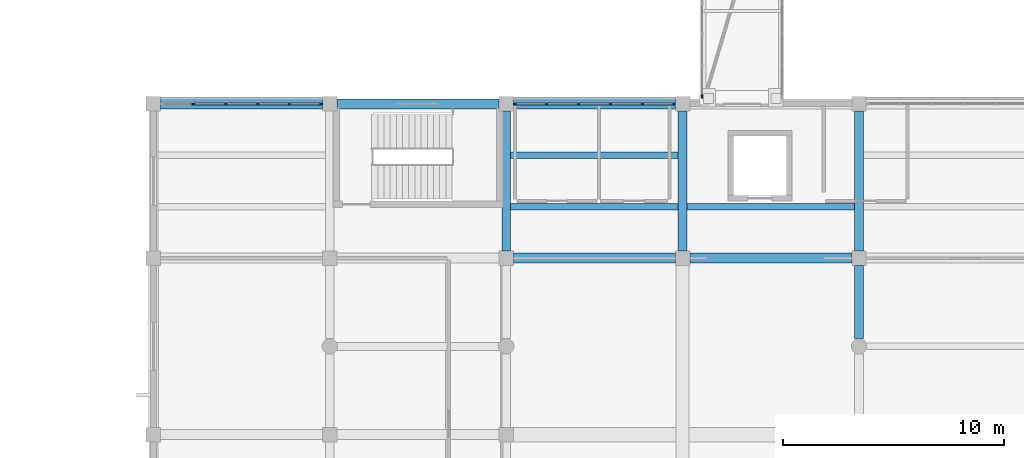
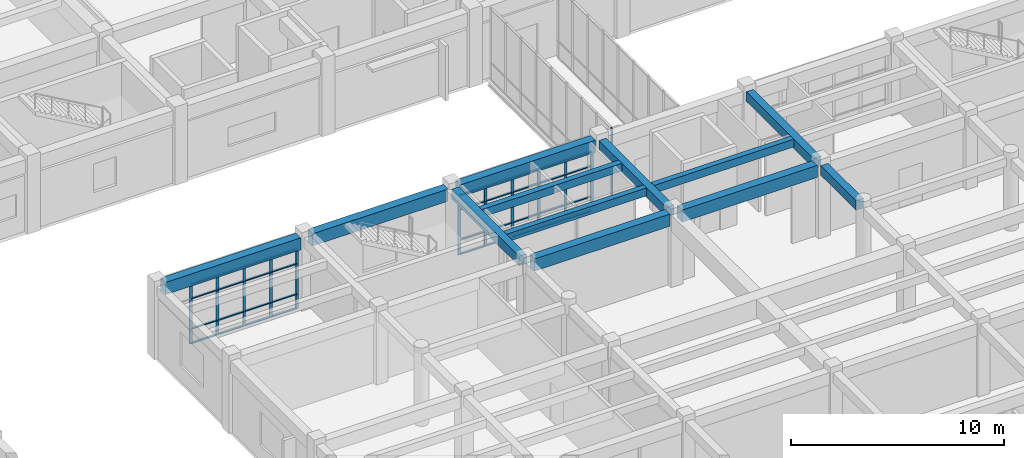
# One storey, part 17 of 70: 48 members, 12 beams, 3 elements without a shape of their own.
"""IFC4 building model written with IfcOpenShell, lengths in metres."""

from ifc_helpers import new_model, si_unit, direction, frame, origin, origin_2d, place, context, subcontext, project, spatial, rectangle, extrude, material, layer, layer_set, material_profile, profile_set, type_object, element, aggregate, save


model = new_model("IFC4")

# Units and contexts
model_context = context("Model", 3, precision=1e-05, world=origin(), true_north=direction((0.0, 1.0)))
body_context = subcontext(model_context, "Body", "Model", "MODEL_VIEW")
ifc_project = project(units=[si_unit("LENGTHUNIT", "METRE"), si_unit("AREAUNIT", "SQUARE_METRE"), si_unit("VOLUMEUNIT", "CUBIC_METRE"), si_unit("PLANEANGLEUNIT", "RADIAN"), si_unit("MASSUNIT", "GRAM", prefix="KILO")], contexts=[model_context])

# Site, building, storey
site_placement = place(None, origin())
site = spatial("IfcSite", under=ifc_project, at=site_placement, CompositionType="ELEMENT")
building_placement = place(site_placement, origin())
building = spatial("IfcBuilding", under=site, at=building_placement, Name="Naurynzar Civic Courthouse", CompositionType="ELEMENT")
storey_placement = place(building_placement, frame((0.0, 0.0, 5.39990234375)))
storey = spatial("IfcBuildingStorey", under=building, at=storey_placement, Name="L02", CompositionType="ELEMENT", Elevation=5.39990234375)

# Beams
ifc_material_1 = material(Name="Concrete C40/50", Category="concrete")
ifc_material_profile_1 = material_profile(ifc_material_1, rectangle(XDim=0.300048828125, YDim=0.449951171875, at=origin_2d()), Name="RCJ 300x450")
ifc_profile_set_1 = profile_set([ifc_material_profile_1], Name="Concrete C40/50")
beam_type_1 = type_object("IfcBeamType", Name="BM-JST-300x450", PredefinedType="JOIST", material=ifc_profile_set_1)
for number, where, z_axis, x_axis, name in (
    (1, (85.199951171875, 27.333251953125, 3.93505859375), (1.0, 0.0, 0.0), (0.0, 1.0, 0.0), "V3 secondary rib 1412 L02"),
    (2, (85.199951171875, 29.666748046875, 3.93505859375), (1.0, 0.0, 0.0), (0.0, 1.0, 0.0), "V3 secondary rib 1413 L02"),
    (3, (93.199951171875, 27.333251953125, 3.93505859375), (1.0, 0.0, 0.0), (0.0, 1.0, 0.0), "V3 secondary rib 1414 L02"),
):
    element("IfcBeam", number, at=place(storey_placement, frame(where, z_axis=z_axis, x_axis=x_axis)), inside=storey, type_object=beam_type_1, Name=name, PredefinedType="JOIST", context=body_context, shape_type="SweptSolid", body=[
        extrude(rectangle(XDim=0.300048828125, YDim=0.449951171875, at=origin_2d()), origin(), (0.0, 0.0, 1.0), 7.60009765625),
    ])
ifc_material_2 = material(Name="Concrete C40/50", Category="concrete")
ifc_material_profile_2 = material_profile(ifc_material_2, rectangle(XDim=0.39990234375, YDim=0.550048828125, at=origin_2d()), Name="RCB 400x550")
ifc_profile_set_2 = profile_set([ifc_material_profile_2], Name="Concrete C40/50")
beam_type_2 = type_object("IfcBeamType", Name="BM-RC-400x550", PredefinedType="BEAM", material=ifc_profile_set_2)
for number, where, z_axis, x_axis, name in (
    (4, (85.0, 25.324951171875, 3.885009765625), (0.0, 1.0, 0.0), (-1.0, 0.0, 0.0), "V3 girder Y-1382 L02"),
    (5, (93.0, 25.324951171875, 3.885009765625), (0.0, 1.0, 0.0), (-1.0, 0.0, 0.0), "V3 girder Y-1385 L02"),
):
    element("IfcBeam", number, at=place(storey_placement, frame(where, z_axis=z_axis, x_axis=x_axis)), inside=storey, type_object=beam_type_2, Name=name, PredefinedType="BEAM", context=body_context, shape_type="SweptSolid", body=[
        extrude(rectangle(XDim=0.39990234375, YDim=0.550048828125, at=origin_2d()), origin(), (0.0, 0.0, 1.0), 6.35009765625),
    ])
beam_1_placement = place(storey_placement, frame((101.0, 21.35009765625, 3.885009765625), z_axis=(0.0, 1.0, 0.0), x_axis=(-1.0, 0.0, 0.0)))
element("IfcBeam", 6, at=beam_1_placement, inside=storey, type_object=beam_type_2, Name="V3 girder Y-1389 L02", PredefinedType="BEAM", context=body_context, shape_type="SweptSolid", body=[
    extrude(rectangle(XDim=0.39990234375, YDim=0.550048828125, at=origin_2d()), origin(), (0.0, 0.0, 1.0), 3.324951171875),
])
beam_2_placement = place(storey_placement, frame((101.0, 25.324951171875, 3.885009765625), z_axis=(0.0, 1.0, 0.0), x_axis=(-1.0, 0.0, 0.0)))
element("IfcBeam", 7, at=beam_2_placement, inside=storey, type_object=beam_type_2, Name="V3 girder Y-1390 L02", PredefinedType="BEAM", context=body_context, shape_type="SweptSolid", body=[
    extrude(rectangle(XDim=0.39990234375, YDim=0.550048828125, at=origin_2d()), origin(), (0.0, 0.0, 1.0), 6.35009765625),
])
ifc_material_3 = material(Name="Concrete C40/50", Category="concrete")
ifc_material_profile_3 = material_profile(ifc_material_3, rectangle(XDim=0.449951171875, YDim=0.699951171875, at=origin_2d()), Name="RCB 450x700")
ifc_profile_set_3 = profile_set([ifc_material_profile_3], Name="Concrete C40/50")
beam_type_3 = type_object("IfcBeamType", Name="BM-RC-450x700", PredefinedType="BEAM", material=ifc_profile_set_3)
for number, where, z_axis, x_axis, name in (
    (8, (85.324951171875, 25.0, 3.81005859375), (1.0, 0.0, 0.0), (0.0, 1.0, 0.0), "V3 beam X-1359 L02"),
    (9, (93.324951171875, 25.0, 3.81005859375), (1.0, 0.0, 0.0), (0.0, 1.0, 0.0), "V3 beam X-1360 L02"),
    (10, (69.324951171875, 32.0, 3.81005859375), (1.0, 0.0, 0.0), (0.0, 1.0, 0.0), "V3 beam X-1363 L02"),
    (11, (77.324951171875, 32.0, 3.81005859375), (1.0, 0.0, 0.0), (0.0, 1.0, 0.0), "V3 beam X-1364 L02"),
    (12, (85.324951171875, 32.0, 3.81005859375), (1.0, 0.0, 0.0), (0.0, 1.0, 0.0), "V3 beam X-1365 L02"),
):
    element("IfcBeam", number, at=place(storey_placement, frame(where, z_axis=z_axis, x_axis=x_axis)), inside=storey, type_object=beam_type_3, Name=name, PredefinedType="BEAM", context=body_context, shape_type="SweptSolid", body=[
        extrude(rectangle(XDim=0.449951171875, YDim=0.699951171875, at=origin_2d()), origin(), (0.0, 0.0, 1.0), 7.35009765625),
    ])

# Curtain wall, members
ifc_material_4 = material(Name="Aluminium 6063-T6", Category="aluminium")
ifc_layer_1 = layer(ifc_material_4, 0.179931640625)
ifc_layer_set_1 = layer_set([ifc_layer_1], Name="CW-UNIT-1500")
curtain_wall_type_1 = type_object("IfcCurtainWallType", Name="CW-UNIT-1500", PredefinedType="NOTDEFINED", material=ifc_layer_set_1)
curtain_wall_1_placement = place(storey_placement, origin())
curtain_wall_1 = element("IfcCurtainWall", 13, at=curtain_wall_1_placement, inside=storey, type_object=curtain_wall_type_1, Name="V3 unitised curtain wall 64 L02", PredefinedType="NOTDEFINED")
ifc_material_5 = material(Name="Aluminium 6063-T6", Category="aluminium")
ifc_material_profile_4 = material_profile(ifc_material_5, rectangle(XDim=0.06005859375, YDim=0.14990234375, at=origin_2d()), Name="ALU MULLION 60x150")
ifc_profile_set_4 = profile_set([ifc_material_profile_4], Name="Aluminium 6063-T6")
member_type_1 = type_object("IfcMemberType", Name="CWM-60x150", PredefinedType="MULLION", material=ifc_profile_set_4)
member_1_placement = place(storey_placement, frame((70.824951171875, 32.0, 0.0), z_axis=(0.0, 0.0, 1.0), x_axis=(0.0, 1.0, 0.0)))
member_1 = element("IfcMember", 14, at=member_1_placement, type_object=member_type_1, Name="CW-01 mullion 2", PredefinedType="MULLION", context=body_context, shape_type="SweptSolid", body=[
    extrude(rectangle(XDim=0.06005859375, YDim=0.14990234375, at=origin_2d()), origin(), (0.0, 0.0, 1.0), 3.440185546875),
])
member_2_placement = place(storey_placement, frame((72.27490234375, 32.0, 0.0), z_axis=(0.0, 0.0, 1.0), x_axis=(0.0, 1.0, 0.0)))
member_2 = element("IfcMember", 15, at=member_2_placement, type_object=member_type_1, Name="CW-01 mullion 3", PredefinedType="MULLION", context=body_context, shape_type="SweptSolid", body=[
    extrude(rectangle(XDim=0.06005859375, YDim=0.14990234375, at=origin_2d()), origin(), (0.0, 0.0, 1.0), 3.440185546875),
])
member_3_placement = place(storey_placement, frame((73.72509765625, 32.0, 0.0), z_axis=(0.0, 0.0, 1.0), x_axis=(0.0, 1.0, 0.0)))
member_3 = element("IfcMember", 16, at=member_3_placement, type_object=member_type_1, Name="CW-01 mullion 4", PredefinedType="MULLION", context=body_context, shape_type="SweptSolid", body=[
    extrude(rectangle(XDim=0.06005859375, YDim=0.14990234375, at=origin_2d()), origin(), (0.0, 0.0, 1.0), 3.440185546875),
])
member_4_placement = place(storey_placement, frame((75.175048828125, 32.0, 0.0), z_axis=(0.0, 0.0, 1.0), x_axis=(0.0, 1.0, 0.0)))
member_4 = element("IfcMember", 17, at=member_4_placement, type_object=member_type_1, Name="CW-01 mullion 5", PredefinedType="MULLION", context=body_context, shape_type="SweptSolid", body=[
    extrude(rectangle(XDim=0.06005859375, YDim=0.14990234375, at=origin_2d()), origin(), (0.0, 0.0, 1.0), 3.440185546875),
])
member_5_placement = place(storey_placement, frame((76.594970703125, 32.0, 0.0), z_axis=(0.0, 0.0, 1.0), x_axis=(0.0, 1.0, 0.0)))
member_5 = element("IfcMember", 18, at=member_5_placement, type_object=member_type_1, Name="CW-01 mullion 6", PredefinedType="MULLION", context=body_context, shape_type="SweptSolid", body=[
    extrude(rectangle(XDim=0.06005859375, YDim=0.14990234375, at=origin_2d()), origin(), (0.0, 0.0, 1.0), 3.440185546875),
])

curtain_wall_2_placement = place(storey_placement, origin())
curtain_wall_2 = element("IfcCurtainWall", 19, at=curtain_wall_2_placement, inside=storey, type_object=curtain_wall_type_1, Name="V3 unitised curtain wall 65 L02", PredefinedType="NOTDEFINED")
member_6_placement = place(storey_placement, frame((85.405029296875, 32.0, 0.0), z_axis=(0.0, 0.0, 1.0), x_axis=(0.0, 1.0, 0.0)))
member_6 = element("IfcMember", 20, at=member_6_placement, type_object=member_type_1, Name="CW-01 mullion 1", PredefinedType="MULLION", context=body_context, shape_type="SweptSolid", body=[
    extrude(rectangle(XDim=0.06005859375, YDim=0.14990234375, at=origin_2d()), origin(), (0.0, 0.0, 1.0), 3.440185546875),
])
member_7_placement = place(storey_placement, frame((86.824951171875, 32.0, 0.0), z_axis=(0.0, 0.0, 1.0), x_axis=(0.0, 1.0, 0.0)))
member_7 = element("IfcMember", 21, at=member_7_placement, type_object=member_type_1, Name="CW-01 mullion 2", PredefinedType="MULLION", context=body_context, shape_type="SweptSolid", body=[
    extrude(rectangle(XDim=0.06005859375, YDim=0.14990234375, at=origin_2d()), origin(), (0.0, 0.0, 1.0), 3.440185546875),
])
member_8_placement = place(storey_placement, frame((88.27490234375, 32.0, 0.0), z_axis=(0.0, 0.0, 1.0), x_axis=(0.0, 1.0, 0.0)))
member_8 = element("IfcMember", 22, at=member_8_placement, type_object=member_type_1, Name="CW-01 mullion 3", PredefinedType="MULLION", context=body_context, shape_type="SweptSolid", body=[
    extrude(rectangle(XDim=0.06005859375, YDim=0.14990234375, at=origin_2d()), origin(), (0.0, 0.0, 1.0), 3.440185546875),
])
member_9_placement = place(storey_placement, frame((89.72509765625, 32.0, 0.0), z_axis=(0.0, 0.0, 1.0), x_axis=(0.0, 1.0, 0.0)))
member_9 = element("IfcMember", 23, at=member_9_placement, type_object=member_type_1, Name="CW-01 mullion 4", PredefinedType="MULLION", context=body_context, shape_type="SweptSolid", body=[
    extrude(rectangle(XDim=0.06005859375, YDim=0.14990234375, at=origin_2d()), origin(), (0.0, 0.0, 1.0), 3.440185546875),
])
member_10_placement = place(storey_placement, frame((91.175048828125, 32.0, 0.0), z_axis=(0.0, 0.0, 1.0), x_axis=(0.0, 1.0, 0.0)))
member_10 = element("IfcMember", 24, at=member_10_placement, type_object=member_type_1, Name="CW-01 mullion 5", PredefinedType="MULLION", context=body_context, shape_type="SweptSolid", body=[
    extrude(rectangle(XDim=0.06005859375, YDim=0.14990234375, at=origin_2d()), origin(), (0.0, 0.0, 1.0), 3.440185546875),
])
member_11_placement = place(storey_placement, frame((92.594970703125, 32.0, 0.0), z_axis=(0.0, 0.0, 1.0), x_axis=(0.0, 1.0, 0.0)))
member_11 = element("IfcMember", 25, at=member_11_placement, type_object=member_type_1, Name="CW-01 mullion 6", PredefinedType="MULLION", context=body_context, shape_type="SweptSolid", body=[
    extrude(rectangle(XDim=0.06005859375, YDim=0.14990234375, at=origin_2d()), origin(), (0.0, 0.0, 1.0), 3.440185546875),
])

# Curtain wall, member
ifc_material_6 = material(Name="Aluminium 6063-T6", Category="aluminium")
ifc_layer_2 = layer(ifc_material_6, 0.14990234375)
ifc_layer_set_2 = layer_set([ifc_layer_2], Name="CW-BRIDGE-1500")
curtain_wall_type_2 = type_object("IfcCurtainWallType", Name="CW-BRIDGE-1500", PredefinedType="USERDEFINED", material=ifc_layer_set_2)
curtain_wall_3_placement = place(storey_placement, origin())
curtain_wall_3 = element("IfcCurtainWall", 26, at=curtain_wall_3_placement, inside=storey, type_object=curtain_wall_type_2, Name="BR-C1 glazed bridge screen L02.1", ObjectType="GLAZED BRIDGE SCREEN", PredefinedType="USERDEFINED")
member_12_placement = place(storey_placement, frame((93.8798828125, 32.330078125, 0.0), z_axis=(0.0, 0.0, 1.0), x_axis=(1.0, 0.0, 0.0)))
member_12 = element("IfcMember", 27, at=member_12_placement, type_object=member_type_1, Name="CW-03 mullion 9", PredefinedType="MULLION", context=body_context, shape_type="SweptSolid", body=[
    extrude(rectangle(XDim=0.06005859375, YDim=0.14990234375, at=origin_2d()), origin(), (0.0, 0.0, 1.0), 4.1201171875),
])
aggregate(curtain_wall_3, [member_12])

# Member
ifc_material_7 = material(Name="Aluminium 6063-T6", Category="aluminium")
ifc_material_profile_5 = material_profile(ifc_material_7, rectangle(XDim=0.110107421875, YDim=0.06005859375, at=origin_2d()), Name="ALU TRANSOM 60x110")
ifc_profile_set_5 = profile_set([ifc_material_profile_5], Name="Aluminium 6063-T6")
member_type_2 = type_object("IfcMemberType", Name="CWT-60x110", PredefinedType="USERDEFINED", material=ifc_profile_set_5)
member_13_placement = place(storey_placement, frame((70.85498046875, 32.0, 0.030029296875), z_axis=(1.0, 0.0, 0.0), x_axis=(0.0, 1.0, 0.0)))
member_13 = element("IfcMember", 28, at=member_13_placement, type_object=member_type_2, Name="CW-01 transom 2.1", ObjectType="TRANSOM", PredefinedType="USERDEFINED", context=body_context, shape_type="SweptSolid", body=[
    extrude(rectangle(XDim=0.110107421875, YDim=0.06005859375, at=origin_2d()), origin(), (0.0, 0.0, 1.0), 1.39013671875),
])

member_14_placement = place(storey_placement, frame((70.85498046875, 32.0, 0.85009765625), z_axis=(1.0, 0.0, 0.0), x_axis=(0.0, 1.0, 0.0)))
member_14 = element("IfcMember", 29, at=member_14_placement, type_object=member_type_2, Name="CW-01 transom 2.2", ObjectType="TRANSOM", PredefinedType="USERDEFINED", context=body_context, shape_type="SweptSolid", body=[
    extrude(rectangle(XDim=0.110107421875, YDim=0.06005859375, at=origin_2d()), origin(), (0.0, 0.0, 1.0), 1.39013671875),
])

member_15_placement = place(storey_placement, frame((70.85498046875, 32.0, 2.590087890625), z_axis=(1.0, 0.0, 0.0), x_axis=(0.0, 1.0, 0.0)))
member_15 = element("IfcMember", 30, at=member_15_placement, type_object=member_type_2, Name="CW-01 transom 2.3", ObjectType="TRANSOM", PredefinedType="USERDEFINED", context=body_context, shape_type="SweptSolid", body=[
    extrude(rectangle(XDim=0.110107421875, YDim=0.06005859375, at=origin_2d()), origin(), (0.0, 0.0, 1.0), 1.39013671875),
])

member_16_placement = place(storey_placement, frame((70.85498046875, 32.0, 3.41015625), z_axis=(1.0, 0.0, 0.0), x_axis=(0.0, 1.0, 0.0)))
member_16 = element("IfcMember", 31, at=member_16_placement, type_object=member_type_2, Name="CW-01 transom 2.4", ObjectType="TRANSOM", PredefinedType="USERDEFINED", context=body_context, shape_type="SweptSolid", body=[
    extrude(rectangle(XDim=0.110107421875, YDim=0.06005859375, at=origin_2d()), origin(), (0.0, 0.0, 1.0), 1.39013671875),
])

member_17_placement = place(storey_placement, frame((72.304931640625, 32.0, 0.030029296875), z_axis=(1.0, 0.0, 0.0), x_axis=(0.0, 1.0, 0.0)))
member_17 = element("IfcMember", 32, at=member_17_placement, type_object=member_type_2, Name="CW-01 transom 3.1", ObjectType="TRANSOM", PredefinedType="USERDEFINED", context=body_context, shape_type="SweptSolid", body=[
    extrude(rectangle(XDim=0.110107421875, YDim=0.06005859375, at=origin_2d()), origin(), (0.0, 0.0, 1.0), 1.39013671875),
])

member_18_placement = place(storey_placement, frame((72.304931640625, 32.0, 0.85009765625), z_axis=(1.0, 0.0, 0.0), x_axis=(0.0, 1.0, 0.0)))
member_18 = element("IfcMember", 33, at=member_18_placement, type_object=member_type_2, Name="CW-01 transom 3.2", ObjectType="TRANSOM", PredefinedType="USERDEFINED", context=body_context, shape_type="SweptSolid", body=[
    extrude(rectangle(XDim=0.110107421875, YDim=0.06005859375, at=origin_2d()), origin(), (0.0, 0.0, 1.0), 1.39013671875),
])

member_19_placement = place(storey_placement, frame((72.304931640625, 32.0, 2.590087890625), z_axis=(1.0, 0.0, 0.0), x_axis=(0.0, 1.0, 0.0)))
member_19 = element("IfcMember", 34, at=member_19_placement, type_object=member_type_2, Name="CW-01 transom 3.3", ObjectType="TRANSOM", PredefinedType="USERDEFINED", context=body_context, shape_type="SweptSolid", body=[
    extrude(rectangle(XDim=0.110107421875, YDim=0.06005859375, at=origin_2d()), origin(), (0.0, 0.0, 1.0), 1.39013671875),
])

member_20_placement = place(storey_placement, frame((72.304931640625, 32.0, 3.41015625), z_axis=(1.0, 0.0, 0.0), x_axis=(0.0, 1.0, 0.0)))
member_20 = element("IfcMember", 35, at=member_20_placement, type_object=member_type_2, Name="CW-01 transom 3.4", ObjectType="TRANSOM", PredefinedType="USERDEFINED", context=body_context, shape_type="SweptSolid", body=[
    extrude(rectangle(XDim=0.110107421875, YDim=0.06005859375, at=origin_2d()), origin(), (0.0, 0.0, 1.0), 1.39013671875),
])

member_21_placement = place(storey_placement, frame((73.7548828125, 32.0, 0.030029296875), z_axis=(1.0, 0.0, 0.0), x_axis=(0.0, 1.0, 0.0)))
member_21 = element("IfcMember", 36, at=member_21_placement, type_object=member_type_2, Name="CW-01 transom 4.1", ObjectType="TRANSOM", PredefinedType="USERDEFINED", context=body_context, shape_type="SweptSolid", body=[
    extrude(rectangle(XDim=0.110107421875, YDim=0.06005859375, at=origin_2d()), origin(), (0.0, 0.0, 1.0), 1.39013671875),
])

member_22_placement = place(storey_placement, frame((73.7548828125, 32.0, 0.85009765625), z_axis=(1.0, 0.0, 0.0), x_axis=(0.0, 1.0, 0.0)))
member_22 = element("IfcMember", 37, at=member_22_placement, type_object=member_type_2, Name="CW-01 transom 4.2", ObjectType="TRANSOM", PredefinedType="USERDEFINED", context=body_context, shape_type="SweptSolid", body=[
    extrude(rectangle(XDim=0.110107421875, YDim=0.06005859375, at=origin_2d()), origin(), (0.0, 0.0, 1.0), 1.39013671875),
])

member_23_placement = place(storey_placement, frame((73.7548828125, 32.0, 2.590087890625), z_axis=(1.0, 0.0, 0.0), x_axis=(0.0, 1.0, 0.0)))
member_23 = element("IfcMember", 38, at=member_23_placement, type_object=member_type_2, Name="CW-01 transom 4.3", ObjectType="TRANSOM", PredefinedType="USERDEFINED", context=body_context, shape_type="SweptSolid", body=[
    extrude(rectangle(XDim=0.110107421875, YDim=0.06005859375, at=origin_2d()), origin(), (0.0, 0.0, 1.0), 1.39013671875),
])

member_24_placement = place(storey_placement, frame((73.7548828125, 32.0, 3.41015625), z_axis=(1.0, 0.0, 0.0), x_axis=(0.0, 1.0, 0.0)))
member_24 = element("IfcMember", 39, at=member_24_placement, type_object=member_type_2, Name="CW-01 transom 4.4", ObjectType="TRANSOM", PredefinedType="USERDEFINED", context=body_context, shape_type="SweptSolid", body=[
    extrude(rectangle(XDim=0.110107421875, YDim=0.06005859375, at=origin_2d()), origin(), (0.0, 0.0, 1.0), 1.39013671875),
])

member_25_placement = place(storey_placement, frame((75.205078125, 32.0, 0.030029296875), z_axis=(1.0, 0.0, 0.0), x_axis=(0.0, 1.0, 0.0)))
member_25 = element("IfcMember", 40, at=member_25_placement, type_object=member_type_2, Name="CW-01 transom 5.1", ObjectType="TRANSOM", PredefinedType="USERDEFINED", context=body_context, shape_type="SweptSolid", body=[
    extrude(rectangle(XDim=0.110107421875, YDim=0.06005859375, at=origin_2d()), origin(), (0.0, 0.0, 1.0), 1.35986328125),
])

member_26_placement = place(storey_placement, frame((75.205078125, 32.0, 0.85009765625), z_axis=(1.0, 0.0, 0.0), x_axis=(0.0, 1.0, 0.0)))
member_26 = element("IfcMember", 41, at=member_26_placement, type_object=member_type_2, Name="CW-01 transom 5.2", ObjectType="TRANSOM", PredefinedType="USERDEFINED", context=body_context, shape_type="SweptSolid", body=[
    extrude(rectangle(XDim=0.110107421875, YDim=0.06005859375, at=origin_2d()), origin(), (0.0, 0.0, 1.0), 1.35986328125),
])

member_27_placement = place(storey_placement, frame((75.205078125, 32.0, 2.590087890625), z_axis=(1.0, 0.0, 0.0), x_axis=(0.0, 1.0, 0.0)))
member_27 = element("IfcMember", 42, at=member_27_placement, type_object=member_type_2, Name="CW-01 transom 5.3", ObjectType="TRANSOM", PredefinedType="USERDEFINED", context=body_context, shape_type="SweptSolid", body=[
    extrude(rectangle(XDim=0.110107421875, YDim=0.06005859375, at=origin_2d()), origin(), (0.0, 0.0, 1.0), 1.35986328125),
])

member_28_placement = place(storey_placement, frame((75.205078125, 32.0, 3.41015625), z_axis=(1.0, 0.0, 0.0), x_axis=(0.0, 1.0, 0.0)))
member_28 = element("IfcMember", 43, at=member_28_placement, type_object=member_type_2, Name="CW-01 transom 5.4", ObjectType="TRANSOM", PredefinedType="USERDEFINED", context=body_context, shape_type="SweptSolid", body=[
    extrude(rectangle(XDim=0.110107421875, YDim=0.06005859375, at=origin_2d()), origin(), (0.0, 0.0, 1.0), 1.35986328125),
])

aggregate(curtain_wall_1, [member_1, member_2, member_3, member_4, member_5, member_13, member_14, member_15, member_16, member_17, member_18, member_19, member_20, member_21, member_22, member_23, member_24, member_25, member_26, member_27, member_28])

member_29_placement = place(storey_placement, frame((85.43505859375, 32.0, 0.030029296875), z_axis=(1.0, 0.0, 0.0), x_axis=(0.0, 1.0, 0.0)))
member_29 = element("IfcMember", 44, at=member_29_placement, type_object=member_type_2, Name="CW-01 transom 1.1", ObjectType="TRANSOM", PredefinedType="USERDEFINED", context=body_context, shape_type="SweptSolid", body=[
    extrude(rectangle(XDim=0.110107421875, YDim=0.06005859375, at=origin_2d()), origin(), (0.0, 0.0, 1.0), 1.35986328125),
])

member_30_placement = place(storey_placement, frame((85.43505859375, 32.0, 0.85009765625), z_axis=(1.0, 0.0, 0.0), x_axis=(0.0, 1.0, 0.0)))
member_30 = element("IfcMember", 45, at=member_30_placement, type_object=member_type_2, Name="CW-01 transom 1.2", ObjectType="TRANSOM", PredefinedType="USERDEFINED", context=body_context, shape_type="SweptSolid", body=[
    extrude(rectangle(XDim=0.110107421875, YDim=0.06005859375, at=origin_2d()), origin(), (0.0, 0.0, 1.0), 1.35986328125),
])

member_31_placement = place(storey_placement, frame((85.43505859375, 32.0, 2.590087890625), z_axis=(1.0, 0.0, 0.0), x_axis=(0.0, 1.0, 0.0)))
member_31 = element("IfcMember", 46, at=member_31_placement, type_object=member_type_2, Name="CW-01 transom 1.3", ObjectType="TRANSOM", PredefinedType="USERDEFINED", context=body_context, shape_type="SweptSolid", body=[
    extrude(rectangle(XDim=0.110107421875, YDim=0.06005859375, at=origin_2d()), origin(), (0.0, 0.0, 1.0), 1.35986328125),
])

member_32_placement = place(storey_placement, frame((85.43505859375, 32.0, 3.41015625), z_axis=(1.0, 0.0, 0.0), x_axis=(0.0, 1.0, 0.0)))
member_32 = element("IfcMember", 47, at=member_32_placement, type_object=member_type_2, Name="CW-01 transom 1.4", ObjectType="TRANSOM", PredefinedType="USERDEFINED", context=body_context, shape_type="SweptSolid", body=[
    extrude(rectangle(XDim=0.110107421875, YDim=0.06005859375, at=origin_2d()), origin(), (0.0, 0.0, 1.0), 1.35986328125),
])

member_33_placement = place(storey_placement, frame((86.85498046875, 32.0, 0.030029296875), z_axis=(1.0, 0.0, 0.0), x_axis=(0.0, 1.0, 0.0)))
member_33 = element("IfcMember", 48, at=member_33_placement, type_object=member_type_2, Name="CW-01 transom 2.1", ObjectType="TRANSOM", PredefinedType="USERDEFINED", context=body_context, shape_type="SweptSolid", body=[
    extrude(rectangle(XDim=0.110107421875, YDim=0.06005859375, at=origin_2d()), origin(), (0.0, 0.0, 1.0), 1.39013671875),
])

member_34_placement = place(storey_placement, frame((86.85498046875, 32.0, 0.85009765625), z_axis=(1.0, 0.0, 0.0), x_axis=(0.0, 1.0, 0.0)))
member_34 = element("IfcMember", 49, at=member_34_placement, type_object=member_type_2, Name="CW-01 transom 2.2", ObjectType="TRANSOM", PredefinedType="USERDEFINED", context=body_context, shape_type="SweptSolid", body=[
    extrude(rectangle(XDim=0.110107421875, YDim=0.06005859375, at=origin_2d()), origin(), (0.0, 0.0, 1.0), 1.39013671875),
])

member_35_placement = place(storey_placement, frame((86.85498046875, 32.0, 2.590087890625), z_axis=(1.0, 0.0, 0.0), x_axis=(0.0, 1.0, 0.0)))
member_35 = element("IfcMember", 50, at=member_35_placement, type_object=member_type_2, Name="CW-01 transom 2.3", ObjectType="TRANSOM", PredefinedType="USERDEFINED", context=body_context, shape_type="SweptSolid", body=[
    extrude(rectangle(XDim=0.110107421875, YDim=0.06005859375, at=origin_2d()), origin(), (0.0, 0.0, 1.0), 1.39013671875),
])

member_36_placement = place(storey_placement, frame((86.85498046875, 32.0, 3.41015625), z_axis=(1.0, 0.0, 0.0), x_axis=(0.0, 1.0, 0.0)))
member_36 = element("IfcMember", 51, at=member_36_placement, type_object=member_type_2, Name="CW-01 transom 2.4", ObjectType="TRANSOM", PredefinedType="USERDEFINED", context=body_context, shape_type="SweptSolid", body=[
    extrude(rectangle(XDim=0.110107421875, YDim=0.06005859375, at=origin_2d()), origin(), (0.0, 0.0, 1.0), 1.39013671875),
])

member_37_placement = place(storey_placement, frame((88.304931640625, 32.0, 0.030029296875), z_axis=(1.0, 0.0, 0.0), x_axis=(0.0, 1.0, 0.0)))
member_37 = element("IfcMember", 52, at=member_37_placement, type_object=member_type_2, Name="CW-01 transom 3.1", ObjectType="TRANSOM", PredefinedType="USERDEFINED", context=body_context, shape_type="SweptSolid", body=[
    extrude(rectangle(XDim=0.110107421875, YDim=0.06005859375, at=origin_2d()), origin(), (0.0, 0.0, 1.0), 1.39013671875),
])

member_38_placement = place(storey_placement, frame((88.304931640625, 32.0, 0.85009765625), z_axis=(1.0, 0.0, 0.0), x_axis=(0.0, 1.0, 0.0)))
member_38 = element("IfcMember", 53, at=member_38_placement, type_object=member_type_2, Name="CW-01 transom 3.2", ObjectType="TRANSOM", PredefinedType="USERDEFINED", context=body_context, shape_type="SweptSolid", body=[
    extrude(rectangle(XDim=0.110107421875, YDim=0.06005859375, at=origin_2d()), origin(), (0.0, 0.0, 1.0), 1.39013671875),
])

member_39_placement = place(storey_placement, frame((88.304931640625, 32.0, 2.590087890625), z_axis=(1.0, 0.0, 0.0), x_axis=(0.0, 1.0, 0.0)))
member_39 = element("IfcMember", 54, at=member_39_placement, type_object=member_type_2, Name="CW-01 transom 3.3", ObjectType="TRANSOM", PredefinedType="USERDEFINED", context=body_context, shape_type="SweptSolid", body=[
    extrude(rectangle(XDim=0.110107421875, YDim=0.06005859375, at=origin_2d()), origin(), (0.0, 0.0, 1.0), 1.39013671875),
])

member_40_placement = place(storey_placement, frame((88.304931640625, 32.0, 3.41015625), z_axis=(1.0, 0.0, 0.0), x_axis=(0.0, 1.0, 0.0)))
member_40 = element("IfcMember", 55, at=member_40_placement, type_object=member_type_2, Name="CW-01 transom 3.4", ObjectType="TRANSOM", PredefinedType="USERDEFINED", context=body_context, shape_type="SweptSolid", body=[
    extrude(rectangle(XDim=0.110107421875, YDim=0.06005859375, at=origin_2d()), origin(), (0.0, 0.0, 1.0), 1.39013671875),
])

member_41_placement = place(storey_placement, frame((89.7548828125, 32.0, 0.030029296875), z_axis=(1.0, 0.0, 0.0), x_axis=(0.0, 1.0, 0.0)))
member_41 = element("IfcMember", 56, at=member_41_placement, type_object=member_type_2, Name="CW-01 transom 4.1", ObjectType="TRANSOM", PredefinedType="USERDEFINED", context=body_context, shape_type="SweptSolid", body=[
    extrude(rectangle(XDim=0.110107421875, YDim=0.06005859375, at=origin_2d()), origin(), (0.0, 0.0, 1.0), 1.39013671875),
])

member_42_placement = place(storey_placement, frame((89.7548828125, 32.0, 0.85009765625), z_axis=(1.0, 0.0, 0.0), x_axis=(0.0, 1.0, 0.0)))
member_42 = element("IfcMember", 57, at=member_42_placement, type_object=member_type_2, Name="CW-01 transom 4.2", ObjectType="TRANSOM", PredefinedType="USERDEFINED", context=body_context, shape_type="SweptSolid", body=[
    extrude(rectangle(XDim=0.110107421875, YDim=0.06005859375, at=origin_2d()), origin(), (0.0, 0.0, 1.0), 1.39013671875),
])

member_43_placement = place(storey_placement, frame((89.7548828125, 32.0, 2.590087890625), z_axis=(1.0, 0.0, 0.0), x_axis=(0.0, 1.0, 0.0)))
member_43 = element("IfcMember", 58, at=member_43_placement, type_object=member_type_2, Name="CW-01 transom 4.3", ObjectType="TRANSOM", PredefinedType="USERDEFINED", context=body_context, shape_type="SweptSolid", body=[
    extrude(rectangle(XDim=0.110107421875, YDim=0.06005859375, at=origin_2d()), origin(), (0.0, 0.0, 1.0), 1.39013671875),
])

member_44_placement = place(storey_placement, frame((89.7548828125, 32.0, 3.41015625), z_axis=(1.0, 0.0, 0.0), x_axis=(0.0, 1.0, 0.0)))
member_44 = element("IfcMember", 59, at=member_44_placement, type_object=member_type_2, Name="CW-01 transom 4.4", ObjectType="TRANSOM", PredefinedType="USERDEFINED", context=body_context, shape_type="SweptSolid", body=[
    extrude(rectangle(XDim=0.110107421875, YDim=0.06005859375, at=origin_2d()), origin(), (0.0, 0.0, 1.0), 1.39013671875),
])

member_45_placement = place(storey_placement, frame((91.205078125, 32.0, 0.030029296875), z_axis=(1.0, 0.0, 0.0), x_axis=(0.0, 1.0, 0.0)))
member_45 = element("IfcMember", 60, at=member_45_placement, type_object=member_type_2, Name="CW-01 transom 5.1", ObjectType="TRANSOM", PredefinedType="USERDEFINED", context=body_context, shape_type="SweptSolid", body=[
    extrude(rectangle(XDim=0.110107421875, YDim=0.06005859375, at=origin_2d()), origin(), (0.0, 0.0, 1.0), 1.35986328125),
])

member_46_placement = place(storey_placement, frame((91.205078125, 32.0, 0.85009765625), z_axis=(1.0, 0.0, 0.0), x_axis=(0.0, 1.0, 0.0)))
member_46 = element("IfcMember", 61, at=member_46_placement, type_object=member_type_2, Name="CW-01 transom 5.2", ObjectType="TRANSOM", PredefinedType="USERDEFINED", context=body_context, shape_type="SweptSolid", body=[
    extrude(rectangle(XDim=0.110107421875, YDim=0.06005859375, at=origin_2d()), origin(), (0.0, 0.0, 1.0), 1.35986328125),
])

member_47_placement = place(storey_placement, frame((91.205078125, 32.0, 2.590087890625), z_axis=(1.0, 0.0, 0.0), x_axis=(0.0, 1.0, 0.0)))
member_47 = element("IfcMember", 62, at=member_47_placement, type_object=member_type_2, Name="CW-01 transom 5.3", ObjectType="TRANSOM", PredefinedType="USERDEFINED", context=body_context, shape_type="SweptSolid", body=[
    extrude(rectangle(XDim=0.110107421875, YDim=0.06005859375, at=origin_2d()), origin(), (0.0, 0.0, 1.0), 1.35986328125),
])

member_48_placement = place(storey_placement, frame((91.205078125, 32.0, 3.41015625), z_axis=(1.0, 0.0, 0.0), x_axis=(0.0, 1.0, 0.0)))
member_48 = element("IfcMember", 63, at=member_48_placement, type_object=member_type_2, Name="CW-01 transom 5.4", ObjectType="TRANSOM", PredefinedType="USERDEFINED", context=body_context, shape_type="SweptSolid", body=[
    extrude(rectangle(XDim=0.110107421875, YDim=0.06005859375, at=origin_2d()), origin(), (0.0, 0.0, 1.0), 1.35986328125),
])

aggregate(curtain_wall_2, [member_6, member_7, member_8, member_9, member_10, member_11, member_29, member_30, member_31, member_32, member_33, member_34, member_35, member_36, member_37, member_38, member_39, member_40, member_41, member_42, member_43, member_44, member_45, member_46, member_47, member_48])

save(model, "model.ifc")
